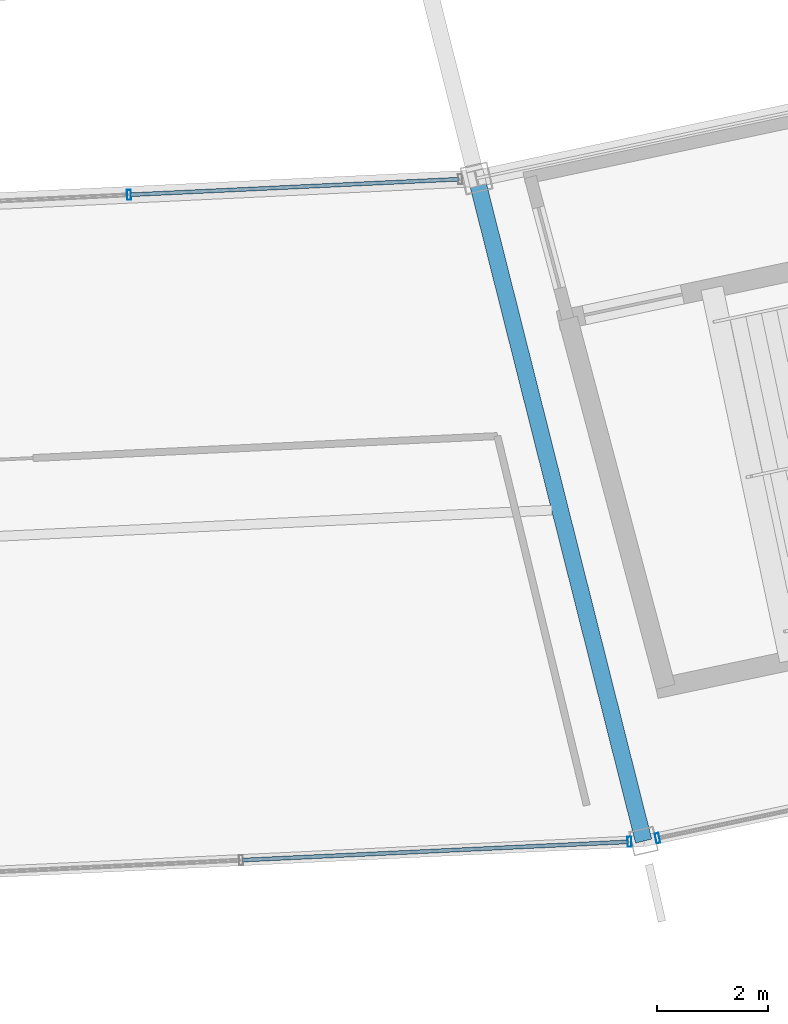
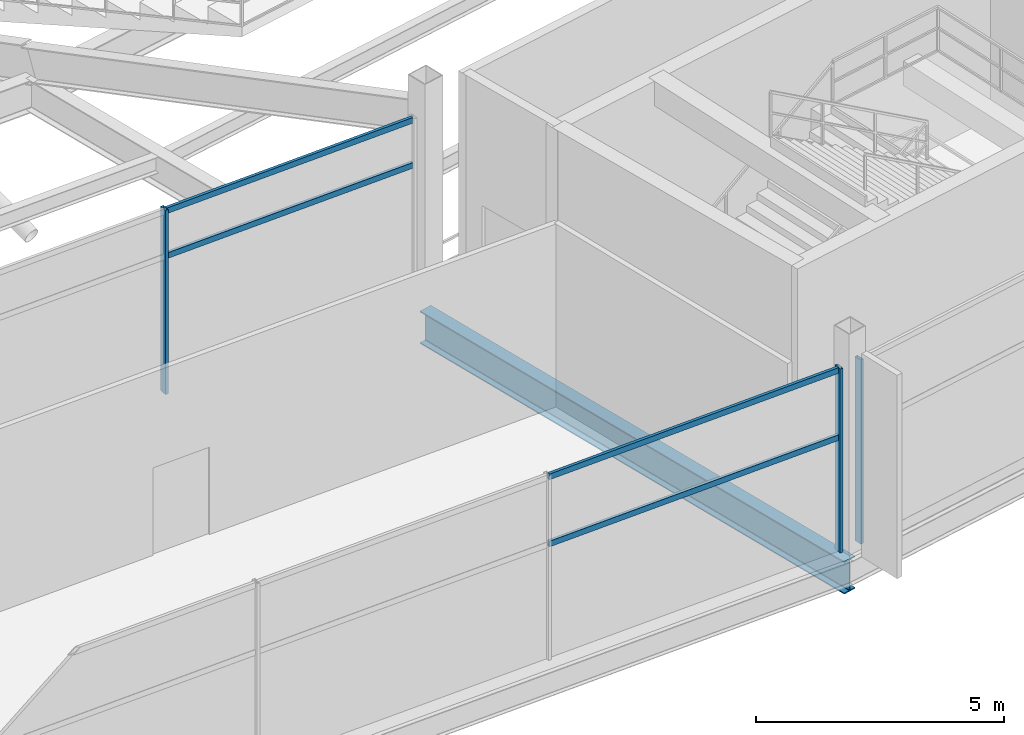
# One storey, part 39 of 186: 7 members, 1 beam, 3 elements without a shape of their own.
"""IFC4 building model written with IfcOpenShell, lengths in metres."""

import ifcopenshell
import ifcopenshell.guid

model = None  # the IFC model being written
_history = None  # IfcOwnerHistory: only IFC2X3 demands one
_inside = {}  # id of a spatial element -> (the spatial element, [elements in it])
_under = {}  # id of a project, library or spatial element -> (it, [spatial elements below it])
_declared = {}  # id of a project -> (the project, [libraries it declares])
_typed = {}  # id of a type object -> (the type object, [elements of that type])
_made_of = {}  # id of a material, layer set ... -> (it, [elements and type objects made of it])


def new_model(schema):
    """Start an empty IFC model of exactly this schema.

    Asked for "IFC4X3", IfcOpenShell would pick the latest addendum, in which some entities
    have other attributes; the version numbers below select the first issue.
    IFC2X3 requires an IfcOwnerHistory on every rooted entity: one is made here for all.
    """
    global model, _history
    if schema == "IFC4X3":
        model = ifcopenshell.file(schema_version=(4, 3, 0, 0))
    else:
        model = ifcopenshell.file(schema=schema)
    _inside.clear()
    _under.clear()
    _declared.clear()
    _typed.clear()
    _made_of.clear()
    _history = None
    if model.schema == "IFC2X3":
        org = make("IfcOrganization", Name="unknown")
        user = make(
            "IfcPersonAndOrganization",
            ThePerson=make("IfcPerson", FamilyName="unknown"),
            TheOrganization=org,
        )
        app = make(
            "IfcApplication",
            ApplicationDeveloper=org,
            Version="unknown",
            ApplicationFullName="unknown",
            ApplicationIdentifier="unknown",
        )
        _history = make(
            "IfcOwnerHistory",
            OwningUser=user,
            OwningApplication=app,
            ChangeAction="ADDED",
            CreationDate=0,
        )
    return model


def make(cls, **values):
    """One entity of the class cls with the attributes given. An attribute that is None is left unset."""
    return model.create_entity(
        cls, **{name: value for name, value in values.items() if value is not None}
    )


def rooted(cls, **values):
    """An entity with a GlobalId (a new one), such as an element, a storey or a relation."""
    return make(cls, GlobalId=ifcopenshell.guid.new(), OwnerHistory=_history, **values)


def si_unit(unit_type, name, prefix=None):
    """IfcSIUnit, for example si_unit("LENGTHUNIT", "METRE", prefix="MILLI")."""
    return make("IfcSIUnit", UnitType=unit_type, Prefix=prefix, Name=name)


def assignment(units):
    """IfcUnitAssignment: the units of a project."""
    return None if units is None else make("IfcUnitAssignment", Units=units)


def point(xyz):
    """IfcCartesianPoint."""
    return None if xyz is None else make("IfcCartesianPoint", Coordinates=xyz)


def direction(xyz):
    """IfcDirection."""
    return None if xyz is None else make("IfcDirection", DirectionRatios=xyz)


def frame(location, z_axis=None, x_axis=None):
    """IfcAxis2Placement3D, a coordinate frame: its origin and axes. An axis left out is left unset."""
    return make(
        "IfcAxis2Placement3D",
        Location=point(location),
        Axis=direction(z_axis),
        RefDirection=direction(x_axis),
    )


def frame_2d(location, x_axis=None):
    """IfcAxis2Placement2D, a coordinate frame in the plane: its origin and x axis."""
    return make(
        "IfcAxis2Placement2D", Location=point(location), RefDirection=direction(x_axis)
    )


def origin():
    """The frame at (0, 0, 0) with its axes left unset."""
    return frame((0.0, 0.0, 0.0))


def origin_2d():
    """The frame at (0, 0) in the plane with its x axis left unset."""
    return frame_2d((0.0, 0.0))


def place(relative_to, where):
    """IfcLocalPlacement: puts the frame where relative to a parent placement (None: the world)."""
    return make(
        "IfcLocalPlacement", PlacementRelTo=relative_to, RelativePlacement=where
    )


def context(
    kind, dimensions, precision=None, world=None, true_north=None, identifier=None
):
    """IfcGeometricRepresentationContext, for example the 3D "Model" context."""
    return make(
        "IfcGeometricRepresentationContext",
        ContextIdentifier=identifier,
        ContextType=kind,
        CoordinateSpaceDimension=dimensions,
        Precision=precision,
        WorldCoordinateSystem=world,
        TrueNorth=true_north,
    )


def subcontext(parent, identifier, kind, view, scale=None):
    """IfcGeometricRepresentationSubContext, for example "Body" below "Model"."""
    return make(
        "IfcGeometricRepresentationSubContext",
        ContextIdentifier=identifier,
        ContextType=kind,
        ParentContext=parent,
        TargetScale=scale,
        TargetView=view,
    )


def project(units=None, contexts=None):
    """IfcProject with its units and contexts."""
    return rooted(
        "IfcProject",
        Name="project",
        RepresentationContexts=contexts,
        UnitsInContext=assignment(units),
    )


def spatial(cls, under=None, at=None, **own):
    """A site, building, storey or space (cls), placed at a placement, below another one or the project."""
    s = rooted(cls, ObjectPlacement=at, **own)
    if under is not None:
        _under.setdefault(under.id(), (under, []))[1].append(s)
    return s


def profile(cls, at=None, kind="AREA", **sizes):
    """A parametric profile (cls). Its sizes go by their IFC names, for example OverallWidth=200.0."""
    return make(cls, ProfileType=kind, Position=at, **sizes)


def hollow_rectangle(**sizes):
    """IfcRectangleHollowProfileDef."""
    return profile("IfcRectangleHollowProfileDef", **sizes)


def i_section(**sizes):
    """IfcIShapeProfileDef."""
    return profile("IfcIShapeProfileDef", **sizes)


def extrude(swept, where, along, depth):
    """IfcExtrudedAreaSolid: the profile swept, set in the frame where, extruded along a direction by depth."""
    return make(
        "IfcExtrudedAreaSolid",
        SweptArea=swept,
        Position=where,
        ExtrudedDirection=direction(along),
        Depth=depth,
    )


def shape(context_of_items, identifier, shape_type, items):
    """IfcShapeRepresentation: the items that make up one representation, for example the "Body"."""
    return make(
        "IfcShapeRepresentation",
        ContextOfItems=context_of_items,
        RepresentationIdentifier=identifier,
        RepresentationType=shape_type,
        Items=items,
    )


def material(Name=None, Category=None):
    """IfcMaterial."""
    return make("IfcMaterial", Name=Name, Category=Category)


def layer(
    of_material, thickness, ventilated=None, Name=None, Category=None, Priority=None
):
    """IfcMaterialLayer: one layer of a wall or slab, of a material (None: an air gap)."""
    return make(
        "IfcMaterialLayer",
        Material=of_material,
        LayerThickness=thickness,
        IsVentilated=ventilated,
        Name=Name,
        Category=Category,
        Priority=Priority,
    )


def layer_set(layers, Name=None):
    """IfcMaterialLayerSet."""
    return make("IfcMaterialLayerSet", MaterialLayers=layers, LayerSetName=Name)


def material_profile(
    of_material, cross_section, Name=None, Category=None, Priority=None
):
    """IfcMaterialProfile: a cross section and its material."""
    return make(
        "IfcMaterialProfile",
        Name=Name,
        Material=of_material,
        Profile=cross_section,
        Priority=Priority,
        Category=Category,
    )


def profile_set(profiles, Name=None, composite=None):
    """IfcMaterialProfileSet."""
    return make(
        "IfcMaterialProfileSet",
        Name=Name,
        MaterialProfiles=profiles,
        CompositeProfile=composite,
    )


def made_of(thing, what):
    """Note that an element or type object is made of a material, layer set ...; save() writes the relation."""
    if what is not None:
        _made_of.setdefault(what.id(), (what, []))[1].append(thing)
    return thing


def type_object(cls, material=None, **own):
    """A type object (cls), such as IfcWallType, which elements share."""
    return made_of(rooted(cls, **own), material)


def element(
    cls,
    number,
    at=None,
    inside=None,
    cuts=None,
    type_object=None,
    material=None,
    context=None,
    identifier="Body",
    shape_type=None,
    held_by="IfcProductDefinitionShape",
    body=None,
    shapes=None,
    **own,
):
    """One element of the class cls, such as IfcWall. Its Tag is "e" and its number.

    at: its placement. inside: the storey or other place that contains it. cuts: it is an
    opening in that element (IfcRelVoidsElement). A single representation is given by context,
    identifier, shape_type and body (its items); several are given by shapes. held_by: the class
    of the entity that holds the representations. save() writes the other relations.
    """
    e = rooted(cls, Tag="e%d" % number, ObjectPlacement=at, **own)
    if body is not None:
        shapes = [shape(context, identifier, shape_type, body)]
    if shapes is not None:
        e.Representation = make(held_by, Representations=shapes)
    if inside is not None:
        _inside.setdefault(inside.id(), (inside, []))[1].append(e)
    if cuts is not None:
        rooted(
            "IfcRelVoidsElement", RelatingBuildingElement=cuts, RelatedOpeningElement=e
        )
    if type_object is not None:
        _typed.setdefault(type_object.id(), (type_object, []))[1].append(e)
    return made_of(e, material)


def aggregate(whole, parts):
    """IfcRelAggregates: a whole, such as a stair, and the parts it consists of."""
    return rooted("IfcRelAggregates", RelatingObject=whole, RelatedObjects=parts)


def save(model, path):
    """Write the relations noted so far, then the file.

    IfcRelAggregates (storeys below a building ...), IfcRelContainedInSpatialStructure (elements
    in a storey), IfcRelDefinesByType, IfcRelAssociatesMaterial and IfcRelDeclares: one each for
    every whole, place, type object, material and project.
    """
    for whole, parts in _under.values():
        aggregate(whole, parts)
    for where, things in _inside.values():
        rooted(
            "IfcRelContainedInSpatialStructure",
            RelatedElements=things,
            RelatingStructure=where,
        )
    for kind, things in _typed.values():
        rooted("IfcRelDefinesByType", RelatedObjects=things, RelatingType=kind)
    for what, things in _made_of.values():
        rooted("IfcRelAssociatesMaterial", RelatedObjects=things, RelatingMaterial=what)
    for by, libraries in _declared.values():
        rooted("IfcRelDeclares", RelatingContext=by, RelatedDefinitions=libraries)
    model.write(path)


model = new_model("IFC4")

# Units and contexts
model_context = context("Model", 3, precision=1e-05, world=origin(), true_north=direction((0.0, 1.0)))
body_context = subcontext(model_context, "Body", "Model", "MODEL_VIEW")
ifc_project = project(units=[si_unit("LENGTHUNIT", "METRE"), si_unit("AREAUNIT", "SQUARE_METRE"), si_unit("VOLUMEUNIT", "CUBIC_METRE"), si_unit("PLANEANGLEUNIT", "RADIAN"), si_unit("MASSUNIT", "GRAM", prefix="KILO")], contexts=[model_context])

# Site, building, storey
site_placement = place(None, origin())
site = spatial("IfcSite", under=ifc_project, at=site_placement, CompositionType="ELEMENT")
building_placement = place(site_placement, origin())
building = spatial("IfcBuilding", under=site, at=building_placement, Name="Kazemori Nagisa Stadium", CompositionType="ELEMENT")
storey_placement = place(building_placement, frame((0.0, 0.0, 20.39990234375)))
storey = spatial("IfcBuildingStorey", under=building, at=storey_placement, Name="L04", CompositionType="ELEMENT", Elevation=20.39990234375)

# Beam
ifc_material_1 = material(Name="Steel SN490B", Category="steel")
ifc_material_profile_1 = material_profile(ifc_material_1, i_section(OverallWidth=0.300048828125, OverallDepth=0.800048828125, WebThickness=0.013916015625, FlangeThickness=0.02587890625, FilletRadius=0.01806640625, at=origin_2d()), Name="H-800x300x14x26")
ifc_profile_set_1 = profile_set([ifc_material_profile_1], Name="Steel SN490B")
beam_type = type_object("IfcBeamType", Name="Beam_BG-H800", PredefinedType="BEAM", material=ifc_profile_set_1)
beam_placement = place(storey_placement, frame((141.427734375, 28.911376953125, -0.699951171875), z_axis=(0.244487324834, -0.969652488263, 0.0), x_axis=(0.969652488263, 0.244487324834, 0.0)))
element("IfcBeam", 1, at=beam_placement, inside=storey, type_object=beam_type, Name="Radial girder BG-H800 L04 R2-R3-23", PredefinedType="BEAM", context=body_context, shape_type="SweptSolid", body=[
    extrude(i_section(OverallWidth=0.300048828125, OverallDepth=0.800048828125, WebThickness=0.013916015625, FlangeThickness=0.02587890625, FilletRadius=0.01806640625, at=origin_2d()), origin(), (0.0, 0.0, 1.0), 12.2705078125),
])

# Curtain wall, member
ifc_material_2 = material(Name="Anodised aluminium 6063-T5", Category="aluminium")
ifc_layer_1 = layer(ifc_material_2, 0.179931640625, Name="Anodised aluminium 6063-T5", Category="aluminium")
ifc_layer_set_1 = layer_set([ifc_layer_1], Name="Anodised aluminium 6063-T5")
curtain_wall_type_1 = type_object("IfcCurtainWallType", Name="CW_L04R3_105", PredefinedType="USERDEFINED", material=ifc_layer_set_1)
curtain_wall_1_placement = place(storey_placement, origin())
curtain_wall_1 = element("IfcCurtainWall", 2, at=curtain_wall_1_placement, inside=storey, type_object=curtain_wall_type_1, Name="Unitised curtain wall CW-L04R3-105 L04", ObjectType="UNITISED CURTAIN WALL", PredefinedType="USERDEFINED")
ifc_material_3 = material(Name="Aluminium 6063-T5 anodised", Category="aluminium")
ifc_material_profile_2 = material_profile(ifc_material_3, hollow_rectangle(XDim=0.070068359375, YDim=0.179931640625, WallThickness=0.00390625, at=origin_2d()), Name="ALU-MULL-70x180x4")
ifc_profile_set_2 = profile_set([ifc_material_profile_2], Name="Aluminium 6063-T5 anodised")
member_type_1 = type_object("IfcMemberType", Name="Mullion_M01", PredefinedType="MULLION", material=ifc_profile_set_2)
member_1_placement = place(storey_placement, frame((144.1728515625, 17.001220703125, 0.0), z_axis=(0.0, 0.0, 1.0), x_axis=(0.998884022476, 0.047230388971, 0.0)))
member_1 = element("IfcMember", 3, at=member_1_placement, type_object=member_type_1, Name="Curtain wall mullion CW-L04R3-105-M4", PredefinedType="MULLION", context=body_context, shape_type="SweptSolid", body=[
    extrude(hollow_rectangle(XDim=0.070068359375, YDim=0.179931640625, WallThickness=0.00390625, at=origin_2d()), origin(), (0.0, 0.0, 1.0), 4.530029296875),
])

ifc_layer_2 = layer(ifc_material_2, 0.179931640625, Name="Anodised aluminium 6063-T5", Category="aluminium")
ifc_layer_set_2 = layer_set([ifc_layer_2], Name="Anodised aluminium 6063-T5")
curtain_wall_type_2 = type_object("IfcCurtainWallType", Name="CW_L04R3_107", PredefinedType="USERDEFINED", material=ifc_layer_set_2)
curtain_wall_2_placement = place(storey_placement, origin())
curtain_wall_2 = element("IfcCurtainWall", 4, at=curtain_wall_2_placement, inside=storey, type_object=curtain_wall_type_2, Name="Unitised curtain wall CW-L04R3-107 L04", ObjectType="UNITISED CURTAIN WALL", PredefinedType="USERDEFINED")
member_2_placement = place(storey_placement, frame((144.67724609375, 17.06591796875, 0.0), z_axis=(0.0, 0.0, 1.0), x_axis=(0.978344955407, 0.206981033502, 0.0)))
member_2 = element("IfcMember", 5, at=member_2_placement, type_object=member_type_1, Name="Curtain wall mullion CW-L04R3-107-M1", PredefinedType="MULLION", context=body_context, shape_type="SweptSolid", body=[
    extrude(hollow_rectangle(XDim=0.070068359375, YDim=0.179931640625, WallThickness=0.00390625, at=origin_2d()), origin(), (0.0, 0.0, 1.0), 4.530029296875),
])
aggregate(curtain_wall_2, [member_2])

ifc_layer_3 = layer(ifc_material_2, 0.179931640625, Name="Anodised aluminium 6063-T5", Category="aluminium")
ifc_layer_set_3 = layer_set([ifc_layer_3], Name="Anodised aluminium 6063-T5")
curtain_wall_type_3 = type_object("IfcCurtainWallType", Name="CW_L04B_90", PredefinedType="USERDEFINED", material=ifc_layer_set_3)
curtain_wall_3_placement = place(storey_placement, origin())
curtain_wall_3 = element("IfcCurtainWall", 6, at=curtain_wall_3_placement, inside=storey, type_object=curtain_wall_type_3, Name="Unitised curtain wall CW-L04B-90 L04", ObjectType="UNITISED CURTAIN WALL", PredefinedType="USERDEFINED")
member_3_placement = place(storey_placement, frame((135.18701171875, 28.6162109375, 0.0), z_axis=(0.0, 0.0, 1.0), x_axis=(0.998884022476, 0.047230388971, 0.0)))
member_3 = element("IfcMember", 7, at=member_3_placement, type_object=member_type_1, Name="Curtain wall mullion CW-L04B-90-M3", PredefinedType="MULLION", context=body_context, shape_type="SweptSolid", body=[
    extrude(hollow_rectangle(XDim=0.070068359375, YDim=0.179931640625, WallThickness=0.00390625, at=origin_2d()), origin(), (0.0, 0.0, 1.0), 4.530029296875),
])

# Member
ifc_material_profile_3 = material_profile(ifc_material_3, hollow_rectangle(XDim=0.070068359375, YDim=0.139892578125, WallThickness=0.00390625, at=origin_2d()), Name="ALU-TRAN-70x140x4")
ifc_profile_set_3 = profile_set([ifc_material_profile_3], Name="Aluminium 6063-T5 anodised")
member_type_2 = type_object("IfcMemberType", Name="Transom_T01", PredefinedType="USERDEFINED", material=ifc_profile_set_3)
member_4_placement = place(storey_placement, frame((137.22021484375, 16.67236328125, 2.80859375), z_axis=(0.998883524201, 0.047240925908, 0.0), x_axis=(-0.047240925908, 0.998883524201, 0.0)))
member_4 = element("IfcMember", 8, at=member_4_placement, type_object=member_type_2, Name="Curtain wall transom CW-L04R3-105-T3-mid", ObjectType="TRANSOM", PredefinedType="USERDEFINED", context=body_context, shape_type="SweptSolid", body=[
    extrude(hollow_rectangle(XDim=0.070068359375, YDim=0.139892578125, WallThickness=0.00390625, at=origin_2d()), origin(), (0.0, 0.0, 1.0), 6.940673828125),
])

member_5_placement = place(storey_placement, frame((137.22021484375, 16.67236328125, 4.460205078125), z_axis=(0.998883524201, 0.047240925908, 0.0), x_axis=(-0.047240925908, 0.998883524201, 0.0)))
member_5 = element("IfcMember", 9, at=member_5_placement, type_object=member_type_2, Name="Curtain wall transom CW-L04R3-105-T3-head", ObjectType="TRANSOM", PredefinedType="USERDEFINED", context=body_context, shape_type="SweptSolid", body=[
    extrude(hollow_rectangle(XDim=0.070068359375, YDim=0.139892578125, WallThickness=0.00390625, at=origin_2d()), origin(), (0.0, 0.0, 1.0), 6.940673828125),
])

aggregate(curtain_wall_1, [member_1, member_4, member_5])

member_6_placement = place(storey_placement, frame((135.20703125, 28.6171875, 3.352294921875), z_axis=(0.998883685098, 0.047237523697, 0.0), x_axis=(-0.047237523697, 0.998883685098, 0.0)))
member_6 = element("IfcMember", 10, at=member_6_placement, type_object=member_type_2, Name="Curtain wall transom CW-L04B-90-T3-mid", ObjectType="TRANSOM", PredefinedType="USERDEFINED", context=body_context, shape_type="SweptSolid", body=[
    extrude(hollow_rectangle(XDim=0.070068359375, YDim=0.139892578125, WallThickness=0.00390625, at=origin_2d()), origin(), (0.0, 0.0, 1.0), 5.91259765625),
])

member_7_placement = place(storey_placement, frame((135.20703125, 28.6171875, 4.460205078125), z_axis=(0.998883685098, 0.047237523697, 0.0), x_axis=(-0.047237523697, 0.998883685098, 0.0)))
member_7 = element("IfcMember", 11, at=member_7_placement, type_object=member_type_2, Name="Curtain wall transom CW-L04B-90-T3-head", ObjectType="TRANSOM", PredefinedType="USERDEFINED", context=body_context, shape_type="SweptSolid", body=[
    extrude(hollow_rectangle(XDim=0.070068359375, YDim=0.139892578125, WallThickness=0.00390625, at=origin_2d()), origin(), (0.0, 0.0, 1.0), 5.91259765625),
])

aggregate(curtain_wall_3, [member_3, member_6, member_7])

save(model, "model.ifc")
